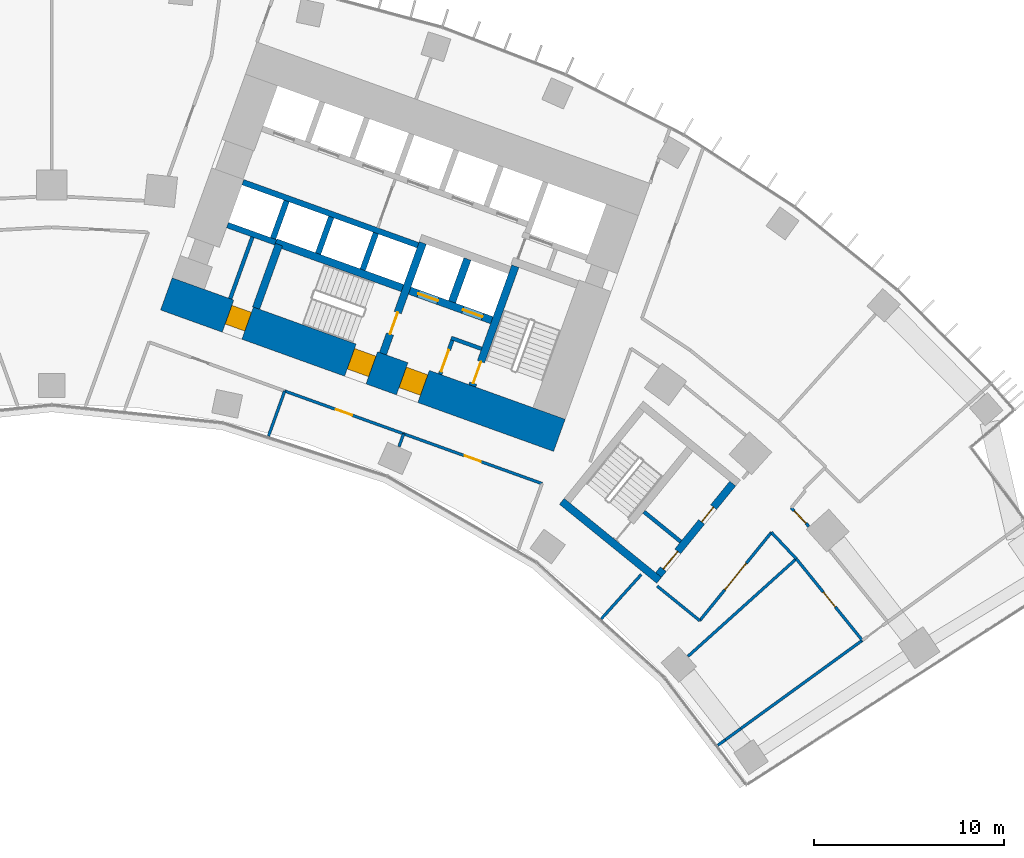
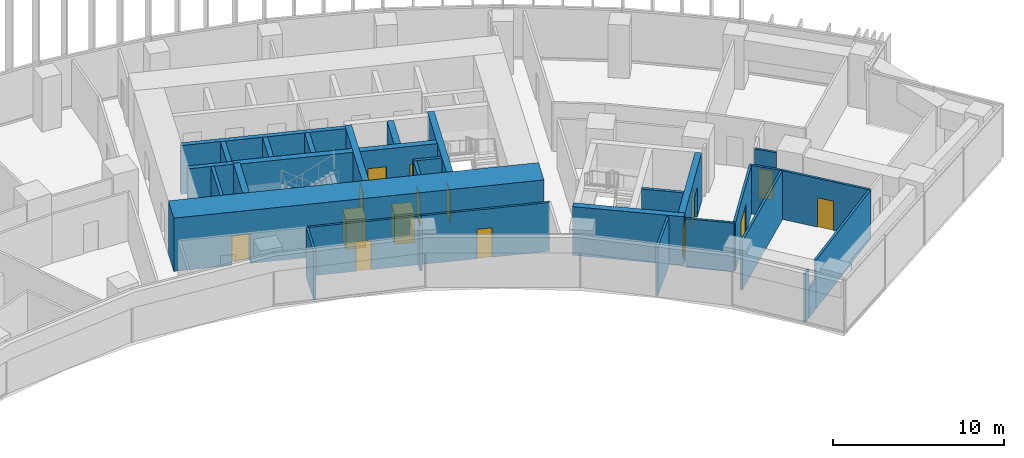
# One storey, part 21 of 25: 31 walls, 15 doors, 15 openings.
"""IFC4 building model written with IfcOpenShell, lengths in metres."""

from ifc_helpers import new_model, si_unit, direction, frame, frame_2d, origin, place, context, subcontext, project, spatial, rectangle, extrude, material, layer, layer_set, type_object, element, fill, save


model = new_model("IFC4")

# Units and contexts
model_context = context("Model", 3, precision=1e-05, world=origin(), true_north=direction((0.0, 1.0)))
body_context = subcontext(model_context, "Body", "Model", "MODEL_VIEW")
ifc_project = project(units=[si_unit("LENGTHUNIT", "METRE"), si_unit("AREAUNIT", "SQUARE_METRE"), si_unit("VOLUMEUNIT", "CUBIC_METRE"), si_unit("PLANEANGLEUNIT", "RADIAN"), si_unit("MASSUNIT", "GRAM", prefix="KILO")], contexts=[model_context])

# Site, building, storey
site_placement = place(None, origin())
site = spatial("IfcSite", under=ifc_project, at=site_placement, CompositionType="ELEMENT")
building_placement = place(site_placement, origin())
building = spatial("IfcBuilding", under=site, at=building_placement, Name="Stone Belt Terrace Tower", CompositionType="ELEMENT")
storey_placement = place(building_placement, frame((0.0, 0.0, 52.800048828125)))
storey = spatial("IfcBuildingStorey", under=building, at=storey_placement, Name="L12", CompositionType="ELEMENT", Elevation=52.800048828125)

# Wall, openings, doors
ifc_material_1 = material(Name="Concrete B80", Category="concrete")
ifc_layer_1 = layer(ifc_material_1, 1.800048828125)
ifc_layer_set_1 = layer_set([ifc_layer_1], Name="Core wall 1800 B80")
wall_type_1 = type_object("IfcWallType", Name="Core wall 1800 B80", PredefinedType="SHEAR", material=ifc_layer_set_1)
wall_1_placement = place(storey_placement, frame((6.039306640625, 49.265380859375, 0.0), z_axis=(0.0, 0.0, 1.0), x_axis=(0.940921642213, -0.338624368902, 0.0)))
wall_1 = element("IfcWall", 1, at=wall_1_placement, inside=storey, type_object=wall_type_1, Name="Core B wall concave L12", PredefinedType="SHEAR", context=body_context, shape_type="SweptSolid", body=[
    extrude(rectangle(XDim=22.0, YDim=1.800048828125, at=frame_2d((11.0, 0.0))), origin(), (0.0, 0.0, 1.0), 3.800048828125),
])
opening_1_placement = place(wall_1_placement, frame((13.199951171875, 0.0, 0.0)))
opening_1 = element("IfcOpeningElement", 2, at=opening_1_placement, cuts=wall_1, Name="Opening L12-C18", PredefinedType="OPENING", context=body_context, shape_type="SweptSolid", body=[
    extrude(rectangle(XDim=1.199951171875, YDim=2.10009765625, at=frame_2d((0.60009765625, 1.050048828125))), frame((0.0, 0.909912109375, 0.0), z_axis=(0.0, -1.0, 0.0), x_axis=(1.0, 0.0, 0.0)), (0.0, 0.0, 1.0), 1.820068359375),
])
opening_2_placement = place(wall_1_placement, frame((10.300048828125, 0.0, 0.0)))
opening_2 = element("IfcOpeningElement", 3, at=opening_2_placement, cuts=wall_1, Name="Opening L12-C20", PredefinedType="OPENING", context=body_context, shape_type="SweptSolid", body=[
    extrude(rectangle(XDim=1.199951171875, YDim=2.10009765625, at=frame_2d((0.60009765625, 1.050048828125))), frame((0.0, 0.909912109375, 0.0), z_axis=(0.0, -1.0, 0.0), x_axis=(1.0, 0.0, 0.0)), (0.0, 0.0, 1.0), 1.820068359375),
])
opening_3_placement = place(wall_1_placement, frame((3.449951171875, 0.0, 0.0)))
opening_3 = element("IfcOpeningElement", 4, at=opening_3_placement, cuts=wall_1, Name="Opening L12-C22", PredefinedType="OPENING", context=body_context, shape_type="SweptSolid", body=[
    extrude(rectangle(XDim=1.10009765625, YDim=2.10009765625, at=frame_2d((0.550048828125, 1.050048828125))), frame((0.0, 0.909912109375, 0.0), z_axis=(0.0, -1.0, 0.0), x_axis=(1.0, 0.0, 0.0)), (0.0, 0.0, 1.0), 1.820068359375),
])
ifc_material_2 = material(Name="Timber door leaf", Category="wood")
door_type_1 = type_object("IfcDoorType", Name="Core room door 1100", OperationType="SINGLE_SWING_LEFT", PredefinedType="DOOR", material=ifc_material_2)
door_1_placement = place(opening_3_placement, origin())
door_1 = element("IfcDoor", 5, at=door_1_placement, inside=storey, type_object=door_type_1, Name="Door to Communications riser room core B", OperationType="SINGLE_SWING_LEFT", OverallHeight=2.10009765625, OverallWidth=1.10009765625, PredefinedType="DOOR", context=body_context, shape_type="SweptSolid", body=[
    extrude(rectangle(XDim=1.10009765625, YDim=2.10009765625, at=frame_2d((0.550048828125, 1.050048828125))), frame((0.0, 0.60498046875, 0.0), z_axis=(0.0, -1.0, 0.0), x_axis=(1.0, 0.0, 0.0)), (0.0, 0.0, 1.0), 1.050048828125),
])
fill(opening_3, door_1)
ifc_material_3 = material(Name="Steel door leaf", Category="steel")
door_type_2 = type_object("IfcDoorType", Name="Fire-fighting lobby door 1200", OperationType="SINGLE_SWING_LEFT", PredefinedType="DOOR", material=ifc_material_3)
door_2_placement = place(opening_1_placement, origin())
door_2 = element("IfcDoor", 6, at=door_2_placement, inside=storey, type_object=door_type_2, Name="Fire-fighting lobby door core B", OperationType="SINGLE_SWING_LEFT", OverallHeight=2.10009765625, OverallWidth=1.199951171875, PredefinedType="DOOR", context=body_context, shape_type="SweptSolid", body=[
    extrude(rectangle(XDim=1.199951171875, YDim=2.10009765625, at=frame_2d((0.60009765625, 1.050048828125))), frame((0.0, 0.655029296875, 0.0), z_axis=(0.0, -1.0, 0.0), x_axis=(1.0, 0.0, 0.0)), (0.0, 0.0, 1.0), 1.14990234375),
])
fill(opening_1, door_2)
door_type_3 = type_object("IfcDoorType", Name="Stair door 1200", OperationType="SINGLE_SWING_LEFT", PredefinedType="DOOR", material=ifc_material_3)
door_3_placement = place(opening_2_placement, origin())
door_3 = element("IfcDoor", 7, at=door_3_placement, inside=storey, type_object=door_type_3, Name="Stair 2 exit door core B", OperationType="SINGLE_SWING_RIGHT", OverallHeight=2.10009765625, OverallWidth=1.199951171875, PredefinedType="DOOR", context=body_context, shape_type="SweptSolid", body=[
    extrude(rectangle(XDim=1.199951171875, YDim=2.10009765625, at=frame_2d((0.60009765625, 1.050048828125))), frame((0.0, 0.655029296875, 0.0), z_axis=(0.0, -1.0, 0.0), x_axis=(1.0, 0.0, 0.0)), (0.0, 0.0, 1.0), 1.14990234375),
])
fill(opening_2, door_3)

# Walls
ifc_layer_2 = layer(ifc_material_1, 0.39990234375)
ifc_layer_set_2 = layer_set([ifc_layer_2], Name="Fire-fighting lift shaft wall 400")
wall_type_2 = type_object("IfcWallType", Name="Fire-fighting lift shaft wall 400", PredefinedType="SHEAR", material=ifc_layer_set_2)
wall_2_placement = place(storey_placement, frame((21.0859375, 48.845458984375, 0.0), z_axis=(0.0, 0.0, 1.0), x_axis=(0.338629416206, 0.940919825745, 0.0)))
element("IfcWall", 8, at=wall_2_placement, inside=storey, type_object=wall_type_2, Name="Core B wall", PredefinedType="SHEAR", context=body_context, shape_type="SweptSolid", body=[
    extrude(rectangle(XDim=2.400146484375, YDim=0.39990234375, at=frame_2d((1.2001953125, 0.0))), origin(), (0.0, 0.0, 1.0), 3.47998046875),
])
ifc_layer_3 = layer(ifc_material_1, 0.300048828125)
ifc_layer_set_3 = layer_set([ifc_layer_3], Name="Lift shaft wall 300")
wall_type_3 = type_object("IfcWallType", Name="Lift shaft wall 300", PredefinedType="SHEAR", material=ifc_layer_set_3)
wall_3_placement = place(storey_placement, frame((19.29052734375, 51.829833984375, 0.0), z_axis=(0.0, 0.0, 1.0), x_axis=(-0.940925833398, 0.338612722803, 0.0)))
element("IfcWall", 9, at=wall_3_placement, inside=storey, type_object=wall_type_3, Name="Core B wall", PredefinedType="SHEAR", context=body_context, shape_type="SweptSolid", body=[
    extrude(rectangle(XDim=9.7998046875, YDim=0.300048828125, at=frame_2d((4.89990234375, 0.0))), origin(), (0.0, 0.0, 1.0), 3.47998046875),
])
for number, where, z_axis, x_axis, name in (
    (10, (16.38134765625, 50.53857421875, 0.0), (0.0, 0.0, 1.0), (0.338681515556, 0.940901073982, 0.0), "Core B wall"),
    (11, (14.029052734375, 51.38525390625, 0.0), (0.0, 0.0, 1.0), (0.338681515556, 0.940901073982, 0.0), "Core B wall"),
):
    element("IfcWall", number, at=place(storey_placement, frame(where, z_axis=z_axis, x_axis=x_axis)), inside=storey, type_object=wall_type_3, Name=name, PredefinedType="SHEAR", context=body_context, shape_type="SweptSolid", body=[
        extrude(rectangle(XDim=2.050048828125, YDim=0.300048828125, at=frame_2d((1.02490234375, 0.0))), origin(), (0.0, 0.0, 1.0), 3.47998046875),
    ])
wall_4_placement = place(storey_placement, frame((11.797119140625, 51.975830078125, 0.0), z_axis=(0.0, 0.0, 1.0), x_axis=(-0.940910465161, 0.33865542451, 0.0)))
element("IfcWall", 12, at=wall_4_placement, inside=storey, type_object=wall_type_3, Name="Core B wall", PredefinedType="SHEAR", context=body_context, shape_type="SweptSolid", body=[
    extrude(rectangle(XDim=2.69970703125, YDim=0.300048828125, at=frame_2d((1.349853515625, 0.0))), origin(), (0.0, 0.0, 1.0), 3.47998046875),
])
wall_5_placement = place(storey_placement, frame((11.659912109375, 52.184814453125, 0.0), z_axis=(0.0, 0.0, 1.0), x_axis=(0.338670064856, 0.940905195634, 0.0)))
element("IfcWall", 13, at=wall_5_placement, inside=storey, type_object=wall_type_3, Name="Core B wall", PredefinedType="SHEAR", context=body_context, shape_type="SweptSolid", body=[
    extrude(rectangle(XDim=2.099853515625, YDim=0.300048828125, at=frame_2d((1.0498046875, 0.0))), origin(), (0.0, 0.0, 1.0), 3.47998046875),
])
ifc_material_4 = material(Name="Gypsum board partition")
ifc_layer_4 = layer(ifc_material_4, 0.14990234375)
ifc_layer_set_4 = layer_set([ifc_layer_4], Name="PARTITION 150 EI 60")
wall_type_4 = type_object("IfcWallType", Name="PARTITION 150 EI 60", PredefinedType="PARTITIONING", material=ifc_layer_set_4)
wall_6_placement = place(storey_placement, frame((31.054931640625, 34.489990234375, 0.0), z_axis=(0.0, 0.0, 1.0), x_axis=(-0.669118910745, -0.743155356089, 0.0)))
element("IfcWall", 14, at=wall_6_placement, inside=storey, type_object=wall_type_4, Name="L12/wall/i026", PredefinedType="PARTITIONING", context=body_context, shape_type="SweptSolid", body=[
    extrude(rectangle(XDim=3.149169921875, YDim=0.14990234375, at=frame_2d((1.57470703125, 0.0))), origin(), (0.0, 0.0, 1.0), 3.47998046875),
])

# Wall, opening, door
wall_7_placement = place(storey_placement, frame((18.54296875, 41.89599609375, 0.0), z_axis=(0.0, 0.0, 1.0), x_axis=(-0.940947591738, 0.338552255349, 0.0)))
wall_7 = element("IfcWall", 15, at=wall_7_placement, inside=storey, type_object=wall_type_4, Name="L12/wall/i029", PredefinedType="PARTITIONING", context=body_context, shape_type="SweptSolid", body=[
    extrude(rectangle(XDim=6.669677734375, YDim=0.14990234375, at=frame_2d((3.3349609375, 0.0))), origin(), (0.0, 0.0, 1.0), 3.47998046875),
])
opening_4_placement = place(wall_7_placement, frame((2.885009765625, 0.0, 0.0)))
opening_4 = element("IfcOpeningElement", 16, at=opening_4_placement, cuts=wall_7, Name="Opening D-A3b-07", PredefinedType="OPENING", context=body_context, shape_type="SweptSolid", body=[
    extrude(rectangle(XDim=0.89990234375, YDim=2.10009765625, at=frame_2d((0.449951171875, 1.050048828125))), frame((0.0, 0.0849609375, 0.0), z_axis=(0.0, -1.0, 0.0), x_axis=(1.0, 0.0, 0.0)), (0.0, 0.0, 1.0), 0.169921875),
])
door_type_4 = type_object("IfcDoorType", Name="OFFICE DOOR 900 X 2100", OperationType="NOTDEFINED", PredefinedType="DOOR", material=ifc_material_2)
door_4_placement = place(opening_4_placement, origin())
door_4 = element("IfcDoor", 17, at=door_4_placement, inside=storey, type_object=door_type_4, Name="L12/door/i07", OperationType="SINGLE_SWING_RIGHT", OverallHeight=2.10009765625, OverallWidth=0.89990234375, PredefinedType="DOOR", context=body_context, shape_type="SweptSolid", body=[
    extrude(rectangle(XDim=0.89990234375, YDim=2.10009765625, at=frame_2d((0.449951171875, 1.050048828125))), frame((0.0, 0.02490234375, 0.0), z_axis=(0.0, -1.0, 0.0), x_axis=(1.0, 0.0, 0.0)), (0.0, 0.0, 1.0), 0.050048828125),
])
fill(opening_4, door_4)

wall_8_placement = place(storey_placement, frame((25.824951171875, 39.27490234375, 0.0), z_axis=(0.0, 0.0, 1.0), x_axis=(-0.940921131887, 0.338625786921, 0.0)))
wall_8 = element("IfcWall", 18, at=wall_8_placement, inside=storey, type_object=wall_type_4, Name="L12/wall/i030", PredefinedType="PARTITIONING", context=body_context, shape_type="SweptSolid", body=[
    extrude(rectangle(XDim=7.751953125, YDim=0.14990234375, at=frame_2d((3.8759765625, 0.0))), origin(), (0.0, 0.0, 1.0), 3.47998046875),
])
opening_5_placement = place(wall_8_placement, frame((3.426025390625, 0.0, 0.0)))
opening_5 = element("IfcOpeningElement", 19, at=opening_5_placement, cuts=wall_8, Name="Opening D-A3b-08", PredefinedType="OPENING", context=body_context, shape_type="SweptSolid", body=[
    extrude(rectangle(XDim=0.89990234375, YDim=2.10009765625, at=frame_2d((0.449951171875, 1.050048828125))), frame((0.0, 0.0849609375, 0.0), z_axis=(0.0, -1.0, 0.0), x_axis=(1.0, 0.0, 0.0)), (0.0, 0.0, 1.0), 0.169921875),
])
door_5_placement = place(opening_5_placement, origin())
door_5 = element("IfcDoor", 20, at=door_5_placement, inside=storey, type_object=door_type_4, Name="L12/door/i08", OperationType="SINGLE_SWING_RIGHT", OverallHeight=2.10009765625, OverallWidth=0.89990234375, PredefinedType="DOOR", context=body_context, shape_type="SweptSolid", body=[
    extrude(rectangle(XDim=0.89990234375, YDim=2.10009765625, at=frame_2d((0.449951171875, 1.050048828125))), frame((0.0, 0.02490234375, 0.0), z_axis=(0.0, -1.0, 0.0), x_axis=(1.0, 0.0, 0.0)), (0.0, 0.0, 1.0), 0.050048828125),
])
fill(opening_5, door_5)

# Walls
wall_9_placement = place(storey_placement, frame((12.27294921875, 44.152099609375, 0.0), z_axis=(0.0, 0.0, 1.0), x_axis=(-0.338462482754, -0.940979887016, 0.0)))
element("IfcWall", 21, at=wall_9_placement, inside=storey, type_object=wall_type_4, Name="L12/wall/i031", PredefinedType="PARTITIONING", context=body_context, shape_type="SweptSolid", body=[
    extrude(rectangle(XDim=2.523193359375, YDim=0.14990234375, at=frame_2d((1.26171875, 0.0))), origin(), (0.0, 0.0, 1.0), 3.47998046875),
])
wall_10_placement = place(storey_placement, frame((18.537109375, 41.89794921875, 0.0), z_axis=(0.0, 0.0, 1.0), x_axis=(-0.339008718723, -0.940783231478, 0.0)))
element("IfcWall", 22, at=wall_10_placement, inside=storey, type_object=wall_type_4, Name="L12/wall/i032", PredefinedType="PARTITIONING", context=body_context, shape_type="SweptSolid", body=[
    extrude(rectangle(XDim=0.71728515625, YDim=0.14990234375, at=frame_2d((0.358642578125, 0.0))), origin(), (0.0, 0.0, 1.0), 3.47998046875),
])
wall_11_placement = place(storey_placement, frame((35.08642578125, 25.491455078125, 0.0), z_axis=(0.0, 0.0, 1.0), x_axis=(0.808950378871, 0.587876929743, 0.0)))
element("IfcWall", 23, at=wall_11_placement, inside=storey, type_object=wall_type_4, Name="L12/wall/i062-1", PredefinedType="PARTITIONING", context=body_context, shape_type="SweptSolid", body=[
    extrude(rectangle(XDim=0.492431640625, YDim=0.14990234375, at=frame_2d((0.24609375, 0.0))), origin(), (0.0, 0.0, 1.0), 3.47998046875),
])
wall_12_placement = place(storey_placement, frame((35.48486328125, 25.781005859375, 0.0), z_axis=(0.0, 0.0, 1.0), x_axis=(0.809166170738, 0.587579873832, 0.0)))
element("IfcWall", 24, at=wall_12_placement, inside=storey, type_object=wall_type_4, Name="L12/wall/i062-2", PredefinedType="PARTITIONING", context=body_context, shape_type="SweptSolid", body=[
    extrude(rectangle(XDim=1.005859375, YDim=0.14990234375, at=frame_2d((0.5029296875, 0.0))), origin(), (0.0, 0.0, 1.0), 2.079833984375),
])
wall_13_placement = place(storey_placement, frame((36.298828125, 26.3720703125, 0.0), z_axis=(0.0, 0.0, 1.0), x_axis=(0.809048165504, 0.587742346522, 0.0)))
element("IfcWall", 25, at=wall_13_placement, inside=storey, type_object=wall_type_4, Name="L12/wall/i062-3", PredefinedType="PARTITIONING", context=body_context, shape_type="SweptSolid", body=[
    extrude(rectangle(XDim=7.9130859375, YDim=0.14990234375, at=frame_2d((3.95654296875, 0.0))), origin(), (0.0, 0.0, 1.0), 3.47998046875),
])
wall_14_placement = place(storey_placement, frame((39.218994140625, 35.31298828125, 0.0), z_axis=(0.0, 0.0, 1.0), x_axis=(-0.685150397177, 0.728401629082, 0.0)))
element("IfcWall", 26, at=wall_14_placement, inside=storey, type_object=wall_type_4, Name="L12/wall/i070", PredefinedType="PARTITIONING", context=body_context, shape_type="SweptSolid", body=[
    extrude(rectangle(XDim=1.919189453125, YDim=0.14990234375, at=frame_2d((0.95947265625, 0.0))), origin(), (0.0, 0.0, 1.0), 3.47998046875),
])

# Wall, opening, door
wall_15_placement = place(storey_placement, frame((42.696044921875, 31.02001953125, 0.0), z_axis=(0.0, 0.0, 1.0), x_axis=(-0.629393988906, 0.777086357318, 0.0)))
wall_15 = element("IfcWall", 27, at=wall_15_placement, inside=storey, type_object=wall_type_4, Name="L12/wall/i071", PredefinedType="PARTITIONING", context=body_context, shape_type="SweptSolid", body=[
    extrude(rectangle(XDim=5.5244140625, YDim=0.14990234375, at=frame_2d((2.76220703125, 0.0))), origin(), (0.0, 0.0, 1.0), 3.47998046875),
])
opening_6_placement = place(wall_15_placement, frame((2.26220703125, 0.0, 0.0)))
opening_6 = element("IfcOpeningElement", 28, at=opening_6_placement, cuts=wall_15, Name="Opening D-A3b-23", PredefinedType="OPENING", context=body_context, shape_type="SweptSolid", body=[
    extrude(rectangle(XDim=1.0, YDim=2.10009765625, at=frame_2d((0.5, 1.050048828125))), frame((0.0, 0.0849609375, 0.0), z_axis=(0.0, -1.0, 0.0), x_axis=(1.0, 0.0, 0.0)), (0.0, 0.0, 1.0), 0.169921875),
])
ifc_material_5 = material(Name="Timber fire door leaf", Category="wood")
door_type_5 = type_object("IfcDoorType", Name="TENANCY ENTRANCE DOOR 1000 X 2100", OperationType="NOTDEFINED", PredefinedType="DOOR", material=ifc_material_5)
door_6_placement = place(opening_6_placement, origin())
door_6 = element("IfcDoor", 29, at=door_6_placement, inside=storey, type_object=door_type_5, Name="L12/door/i23", OperationType="SINGLE_SWING_RIGHT", OverallHeight=2.10009765625, OverallWidth=1.0, PredefinedType="DOOR", context=body_context, shape_type="SweptSolid", body=[
    extrude(rectangle(XDim=1.0, YDim=2.10009765625, at=frame_2d((0.5, 1.050048828125))), frame((0.0, 0.02490234375, 0.0), z_axis=(0.0, -1.0, 0.0), x_axis=(1.0, 0.0, 0.0)), (0.0, 0.0, 1.0), 0.050048828125),
])
fill(opening_6, door_6)

wall_16_placement = place(storey_placement, frame((38.951904296875, 38.00390625, 0.0), z_axis=(0.0, 0.0, 1.0), x_axis=(0.685517138115, -0.728056490494, 0.0)))
wall_16 = element("IfcWall", 30, at=wall_16_placement, inside=storey, type_object=wall_type_4, Name="L12/wall/i072", PredefinedType="PARTITIONING", context=body_context, shape_type="SweptSolid", body=[
    extrude(rectangle(XDim=1.3486328125, YDim=0.14990234375, at=frame_2d((0.67431640625, 0.0))), origin(), (0.0, 0.0, 1.0), 3.47998046875),
])
opening_7_placement = place(wall_16_placement, frame((0.224365234375, 0.0, 0.0)))
opening_7 = element("IfcOpeningElement", 31, at=opening_7_placement, cuts=wall_16, Name="Opening D-A3b-26", PredefinedType="OPENING", context=body_context, shape_type="SweptSolid", body=[
    extrude(rectangle(XDim=0.89990234375, YDim=2.10009765625, at=frame_2d((0.449951171875, 1.050048828125))), frame((0.0, 0.0849609375, 0.0), z_axis=(0.0, -1.0, 0.0), x_axis=(1.0, 0.0, 0.0)), (0.0, 0.0, 1.0), 0.169921875),
])
door_type_6 = type_object("IfcDoorType", Name="TENANCY ENTRANCE DOOR 900 X 2100", OperationType="NOTDEFINED", PredefinedType="DOOR", material=ifc_material_5)
door_7_placement = place(opening_7_placement, origin())
door_7 = element("IfcDoor", 32, at=door_7_placement, inside=storey, type_object=door_type_6, Name="L12/door/i26", OperationType="SINGLE_SWING_RIGHT", OverallHeight=2.10009765625, OverallWidth=0.89990234375, PredefinedType="DOOR", context=body_context, shape_type="SweptSolid", body=[
    extrude(rectangle(XDim=0.89990234375, YDim=2.10009765625, at=frame_2d((0.449951171875, 1.050048828125))), frame((0.0, 0.02490234375, 0.0), z_axis=(0.0, -1.0, 0.0), x_axis=(1.0, 0.0, 0.0)), (0.0, 0.0, 1.0), 0.050048828125),
])
fill(opening_7, door_7)

wall_17_placement = place(storey_placement, frame((34.133056640625, 32.055908203125, 0.0), z_axis=(0.0, 0.0, 1.0), x_axis=(0.630176722579, 0.776451735988, 0.0)))
wall_17 = element("IfcWall", 33, at=wall_17_placement, inside=storey, type_object=wall_type_4, Name="L12/wall/i075", PredefinedType="PARTITIONING", context=body_context, shape_type="SweptSolid", body=[
    extrude(rectangle(XDim=5.990234375, YDim=0.14990234375, at=frame_2d((2.9951171875, 0.0))), origin(), (0.0, 0.0, 1.0), 3.47998046875),
])
opening_8_placement = place(wall_17_placement, frame((2.09521484375, 0.0, 0.0)))
opening_8 = element("IfcOpeningElement", 34, at=opening_8_placement, cuts=wall_17, Name="Opening D-A3b-22", PredefinedType="OPENING", context=body_context, shape_type="SweptSolid", body=[
    extrude(rectangle(XDim=1.800048828125, YDim=2.10009765625, at=frame_2d((0.89990234375, 1.050048828125))), frame((0.0, 0.0849609375, 0.0), z_axis=(0.0, -1.0, 0.0), x_axis=(1.0, 0.0, 0.0)), (0.0, 0.0, 1.0), 0.169921875),
])
door_type_7 = type_object("IfcDoorType", Name="DOUBLE DOOR 1800 X 2100", OperationType="DOUBLE_DOOR_SINGLE_SWING", PredefinedType="DOOR", material=ifc_material_2)
door_8_placement = place(opening_8_placement, origin())
door_8 = element("IfcDoor", 35, at=door_8_placement, inside=storey, type_object=door_type_7, Name="L12/door/i22", OperationType="DOUBLE_DOOR_SINGLE_SWING", OverallHeight=2.10009765625, OverallWidth=1.800048828125, PredefinedType="DOOR", context=body_context, shape_type="SweptSolid", body=[
    extrude(rectangle(XDim=1.800048828125, YDim=2.10009765625, at=frame_2d((0.89990234375, 1.050048828125))), frame((0.0, 0.02490234375, 0.0), z_axis=(0.0, -1.0, 0.0), x_axis=(1.0, 0.0, 0.0)), (0.0, 0.0, 1.0), 0.050048828125),
])
fill(opening_8, door_8)

# Walls
wall_18_placement = place(storey_placement, frame((34.133056640625, 32.055908203125, 0.0), z_axis=(0.0, 0.0, 1.0), x_axis=(-0.776369956068, 0.630277471686, 0.0)))
element("IfcWall", 36, at=wall_18_placement, inside=storey, type_object=wall_type_4, Name="L12/wall/i076", PredefinedType="PARTITIONING", context=body_context, shape_type="SweptSolid", body=[
    extrude(rectangle(XDim=2.8876953125, YDim=0.14990234375, at=frame_2d((1.44384765625, 0.0))), origin(), (0.0, 0.0, 1.0), 3.47998046875),
])
wall_19_placement = place(storey_placement, frame((39.218994140625, 35.31298828125, 0.0), z_axis=(0.0, 0.0, 1.0), x_axis=(-0.743135942629, -0.669140471629, 0.0)))
element("IfcWall", 37, at=wall_19_placement, inside=storey, type_object=wall_type_4, Name="L12/wall/i078", PredefinedType="PARTITIONING", context=body_context, shape_type="SweptSolid", body=[
    extrude(rectangle(XDim=7.67431640625, YDim=0.14990234375, at=frame_2d((3.837158203125, 0.0))), origin(), (0.0, 0.0, 1.0), 3.47998046875),
])
ifc_material_6 = material(Name="Concrete masonry block", Category="masonry")
ifc_layer_5 = layer(ifc_material_6, 0.199951171875)
ifc_layer_set_5 = layer_set([ifc_layer_5], Name="Rated lobby wall 200")
wall_type_5 = type_object("IfcWallType", Name="Rated lobby wall 200", PredefinedType="PARTITIONING", material=ifc_layer_set_5)
wall_20_placement = place(storey_placement, frame((22.640625, 46.373046875, 0.0), z_axis=(0.0, 0.0, 1.0), x_axis=(-0.940966110313, 0.338500781747, 0.0)))
element("IfcWall", 38, at=wall_20_placement, inside=storey, type_object=wall_type_5, Name="Core B wall", PredefinedType="PARTITIONING", context=body_context, shape_type="SweptSolid", body=[
    extrude(rectangle(XDim=1.699951171875, YDim=0.199951171875, at=frame_2d((0.85009765625, 0.0))), origin(), (0.0, 0.0, 1.0), 3.47998046875),
])

# Wall, opening, door
wall_21_placement = place(storey_placement, frame((20.4580078125, 45.032958984375, 0.0), z_axis=(0.0, 0.0, 1.0), x_axis=(0.338573865316, 0.940939816208, 0.0)))
wall_21 = element("IfcWall", 39, at=wall_21_placement, inside=storey, type_object=wall_type_5, Name="Core B wall", PredefinedType="PARTITIONING", context=body_context, shape_type="SweptSolid", body=[
    extrude(rectangle(XDim=1.900146484375, YDim=0.199951171875, at=frame_2d((0.9501953125, 0.0))), origin(), (0.0, 0.0, 1.0), 3.47998046875),
])
opening_9_placement = place(wall_21_placement, frame((0.14990234375, 0.0, 0.0)))
opening_9 = element("IfcOpeningElement", 40, at=opening_9_placement, cuts=wall_21, Name="Opening L12-C17", PredefinedType="OPENING", context=body_context, shape_type="SweptSolid", body=[
    extrude(rectangle(XDim=1.199951171875, YDim=2.10009765625, at=frame_2d((0.60009765625, 1.050048828125))), frame((0.0, 0.10986328125, 0.0), z_axis=(0.0, -1.0, 0.0), x_axis=(1.0, 0.0, 0.0)), (0.0, 0.0, 1.0), 0.219970703125),
])
door_9_placement = place(opening_9_placement, origin())
door_9 = element("IfcDoor", 41, at=door_9_placement, inside=storey, type_object=door_type_3, Name="Stair airlock door core B", OperationType="SINGLE_SWING_LEFT", OverallHeight=2.10009765625, OverallWidth=1.199951171875, PredefinedType="DOOR", context=body_context, shape_type="SweptSolid", body=[
    extrude(rectangle(XDim=1.199951171875, YDim=2.10009765625, at=frame_2d((0.60009765625, 1.050048828125))), frame((0.0, 0.02490234375, 0.0), z_axis=(0.0, -1.0, 0.0), x_axis=(1.0, 0.0, 0.0)), (0.0, 0.0, 1.0), 0.050048828125),
])
fill(opening_9, door_9)

# Walls
wall_22_placement = place(storey_placement, frame((9.402099609375, 49.01171875, 0.0), z_axis=(0.0, 0.0, 1.0), x_axis=(0.338599189079, 0.940930703695, 0.0)))
element("IfcWall", 42, at=wall_22_placement, inside=storey, type_object=wall_type_5, Name="Core B wall", PredefinedType="PARTITIONING", context=body_context, shape_type="SweptSolid", body=[
    extrude(rectangle(XDim=3.4501953125, YDim=0.199951171875, at=frame_2d((1.72509765625, 0.0))), origin(), (0.0, 0.0, 1.0), 3.47998046875),
])
wall_23_placement = place(storey_placement, frame((31.190673828125, 37.79296875, 0.0), z_axis=(0.0, 0.0, 1.0), x_axis=(0.776370830301, -0.630276394813, 0.0)))
element("IfcWall", 43, at=wall_23_placement, inside=storey, type_object=wall_type_5, Name="Exit stair ST3B wall", PredefinedType="PARTITIONING", context=body_context, shape_type="SweptSolid", body=[
    extrude(rectangle(XDim=2.5, YDim=0.199951171875, at=frame_2d((1.25, 0.0))), origin(), (0.0, 0.0, 1.0), 3.47998046875),
])

# Wall, opening, door
ifc_layer_6 = layer(ifc_material_1, 0.39990234375)
ifc_layer_set_6 = layer_set([ifc_layer_6], Name="Stair enclosure wall 400")
wall_type_6 = type_object("IfcWallType", Name="Stair enclosure wall 400", PredefinedType="SHEAR", material=ifc_layer_set_6)
wall_24_placement = place(storey_placement, frame((22.151611328125, 44.42333984375, 0.0), z_axis=(0.0, 0.0, 1.0), x_axis=(0.338625272931, 0.940921316866, 0.0)))
wall_24 = element("IfcWall", 44, at=wall_24_placement, inside=storey, type_object=wall_type_6, Name="Core B wall", PredefinedType="SHEAR", context=body_context, shape_type="SweptSolid", body=[
    extrude(rectangle(XDim=6.699951171875, YDim=0.39990234375, at=frame_2d((3.35009765625, 0.0))), origin(), (0.0, 0.0, 1.0), 3.47998046875),
])
opening_10_placement = place(wall_24_placement, frame((0.14990234375, 0.0, 0.0)))
opening_10 = element("IfcOpeningElement", 45, at=opening_10_placement, cuts=wall_24, Name="Opening L12-C16", PredefinedType="OPENING", context=body_context, shape_type="SweptSolid", body=[
    extrude(rectangle(XDim=1.199951171875, YDim=2.10009765625, at=frame_2d((0.60009765625, 1.050048828125))), frame((0.0, 0.2099609375, 0.0), z_axis=(0.0, -1.0, 0.0), x_axis=(1.0, 0.0, 0.0)), (0.0, 0.0, 1.0), 0.419921875),
])
door_10_placement = place(opening_10_placement, origin())
door_10 = element("IfcDoor", 46, at=door_10_placement, inside=storey, type_object=door_type_3, Name="Stair 1 door core B", OperationType="SINGLE_SWING_LEFT", OverallHeight=2.10009765625, OverallWidth=1.199951171875, PredefinedType="DOOR", context=body_context, shape_type="SweptSolid", body=[
    extrude(rectangle(XDim=1.199951171875, YDim=2.10009765625, at=frame_2d((0.60009765625, 1.050048828125))), frame((0.0, 0.02490234375, 0.0), z_axis=(0.0, -1.0, 0.0), x_axis=(1.0, 0.0, 0.0)), (0.0, 0.0, 1.0), 0.050048828125),
])
fill(opening_10, door_10)

# Wall, openings, doors
wall_25_placement = place(storey_placement, frame((23.182373046875, 47.87841796875, 0.0), z_axis=(0.0, 0.0, 1.0), x_axis=(-0.940921101762, 0.338625870628, 0.0)))
wall_25 = element("IfcWall", 47, at=wall_25_placement, inside=storey, type_object=wall_type_6, Name="Core B wall", PredefinedType="SHEAR", context=body_context, shape_type="SweptSolid", body=[
    extrude(rectangle(XDim=12.10009765625, YDim=0.39990234375, at=frame_2d((6.050048828125, 0.0))), origin(), (0.0, 0.0, 1.0), 3.47998046875),
])
opening_11_placement = place(wall_25_placement, frame((0.52001953125, 0.0, 0.0)))
opening_11 = element("IfcOpeningElement", 48, at=opening_11_placement, cuts=wall_25, Name="Opening L12-LD16", PredefinedType="OPENING", context=body_context, shape_type="SweptSolid", body=[
    extrude(rectangle(XDim=1.10009765625, YDim=2.199951171875, at=frame_2d((0.550048828125, 1.10009765625))), frame((0.0, 0.2099609375, 0.0), z_axis=(0.0, -1.0, 0.0), x_axis=(1.0, 0.0, 0.0)), (0.0, 0.0, 1.0), 0.419921875),
])
opening_12_placement = place(wall_25_placement, frame((3.02001953125, 0.0, 0.0)))
opening_12 = element("IfcOpeningElement", 49, at=opening_12_placement, cuts=wall_25, Name="Opening L12-LD17", PredefinedType="OPENING", context=body_context, shape_type="SweptSolid", body=[
    extrude(rectangle(XDim=1.10009765625, YDim=2.199951171875, at=frame_2d((0.550048828125, 1.10009765625))), frame((0.0, 0.2099609375, 0.0), z_axis=(0.0, -1.0, 0.0), x_axis=(1.0, 0.0, 0.0)), (0.0, 0.0, 1.0), 0.419921875),
])
ifc_material_7 = material(Name="Stainless steel door leaf", Category="steel")
door_type_8 = type_object("IfcDoorType", Name="Landing door 1100", OperationType="SLIDING_TO_LEFT", PredefinedType="DOOR", material=ifc_material_7)
door_11_placement = place(opening_11_placement, origin())
door_11 = element("IfcDoor", 50, at=door_11_placement, inside=storey, type_object=door_type_8, Name="Landing door FF1 core B", OperationType="SLIDING_TO_LEFT", OverallHeight=2.199951171875, OverallWidth=1.10009765625, PredefinedType="DOOR", context=body_context, shape_type="SweptSolid", body=[
    extrude(rectangle(XDim=1.10009765625, YDim=2.199951171875, at=frame_2d((0.550048828125, 1.10009765625))), frame((0.0, 0.02490234375, 0.0), z_axis=(0.0, -1.0, 0.0), x_axis=(1.0, 0.0, 0.0)), (0.0, 0.0, 1.0), 0.050048828125),
])
fill(opening_11, door_11)
door_12_placement = place(opening_12_placement, origin())
door_12 = element("IfcDoor", 51, at=door_12_placement, inside=storey, type_object=door_type_8, Name="Landing door FF2 core B", OperationType="SLIDING_TO_LEFT", OverallHeight=2.199951171875, OverallWidth=1.10009765625, PredefinedType="DOOR", context=body_context, shape_type="SweptSolid", body=[
    extrude(rectangle(XDim=1.10009765625, YDim=2.199951171875, at=frame_2d((0.550048828125, 1.10009765625))), frame((0.0, 0.02490234375, 0.0), z_axis=(0.0, -1.0, 0.0), x_axis=(1.0, 0.0, 0.0)), (0.0, 0.0, 1.0), 0.050048828125),
])
fill(opening_12, door_12)

# Wall, opening, door
wall_26_placement = place(storey_placement, frame((17.447021484375, 46.116455078125, 0.0), z_axis=(0.0, 0.0, 1.0), x_axis=(0.33860791464, 0.940927563707, 0.0)))
wall_26 = element("IfcWall", 52, at=wall_26_placement, inside=storey, type_object=wall_type_6, Name="Core B wall", PredefinedType="SHEAR", context=body_context, shape_type="SweptSolid", body=[
    extrude(rectangle(XDim=6.199951171875, YDim=0.39990234375, at=frame_2d((3.10009765625, 0.0))), origin(), (0.0, 0.0, 1.0), 3.47998046875),
])
opening_13_placement = place(wall_26_placement, frame((1.10009765625, 0.0, 0.0)))
opening_13 = element("IfcOpeningElement", 53, at=opening_13_placement, cuts=wall_26, Name="Opening L12-C19", PredefinedType="OPENING", context=body_context, shape_type="SweptSolid", body=[
    extrude(rectangle(XDim=1.199951171875, YDim=2.10009765625, at=frame_2d((0.60009765625, 1.050048828125))), frame((0.0, 0.2099609375, 0.0), z_axis=(0.0, -1.0, 0.0), x_axis=(1.0, 0.0, 0.0)), (0.0, 0.0, 1.0), 0.419921875),
])
door_13_placement = place(opening_13_placement, origin())
door_13 = element("IfcDoor", 54, at=door_13_placement, inside=storey, type_object=door_type_3, Name="Stair 2 door core B", OperationType="SINGLE_SWING_LEFT", OverallHeight=2.10009765625, OverallWidth=1.199951171875, PredefinedType="DOOR", context=body_context, shape_type="SweptSolid", body=[
    extrude(rectangle(XDim=1.199951171875, YDim=2.10009765625, at=frame_2d((0.60009765625, 1.050048828125))), frame((0.0, 0.02490234375, 0.0), z_axis=(0.0, -1.0, 0.0), x_axis=(1.0, 0.0, 0.0)), (0.0, 0.0, 1.0), 0.050048828125),
])
fill(opening_13, door_13)

# Walls
wall_27_placement = place(storey_placement, frame((10.766357421875, 48.520751953125, 0.0), z_axis=(0.0, 0.0, 1.0), x_axis=(0.338626928157, 0.94092072117, 0.0)))
element("IfcWall", 55, at=wall_27_placement, inside=storey, type_object=wall_type_6, Name="Core B wall", PredefinedType="SHEAR", context=body_context, shape_type="SweptSolid", body=[
    extrude(rectangle(XDim=3.550048828125, YDim=0.39990234375, at=frame_2d((1.77490234375, 0.0))), origin(), (0.0, 0.0, 1.0), 3.47998046875),
])
wall_28_placement = place(storey_placement, frame((26.868408203125, 38.3388671875, 0.0), z_axis=(0.0, 0.0, 1.0), x_axis=(0.776428452498, -0.630205409491, 0.0)))
element("IfcWall", 56, at=wall_28_placement, inside=storey, type_object=wall_type_6, Name="Exit stair ST3B wall", PredefinedType="SHEAR", context=body_context, shape_type="SweptSolid", body=[
    extrude(rectangle(XDim=6.60009765625, YDim=0.39990234375, at=frame_2d((3.300048828125, 0.0))), origin(), (0.0, 0.0, 1.0), 3.47998046875),
])

# Wall, openings, doors
wall_29_placement = place(storey_placement, frame((31.963623046875, 34.460693359375, 0.0), z_axis=(0.0, 0.0, 1.0), x_axis=(0.630192283849, 0.776439106033, 0.0)))
wall_29 = element("IfcWall", 57, at=wall_29_placement, inside=storey, type_object=wall_type_6, Name="Exit stair ST3B wall", PredefinedType="SHEAR", context=body_context, shape_type="SweptSolid", body=[
    extrude(rectangle(XDim=6.199951171875, YDim=0.39990234375, at=frame_2d((3.10009765625, 0.0))), origin(), (0.0, 0.0, 1.0), 3.47998046875),
])
opening_14_placement = place(wall_29_placement, frame((0.39990234375, 0.0, 0.0)))
opening_14 = element("IfcOpeningElement", 58, at=opening_14_placement, cuts=wall_29, Name="Opening L12-C27", PredefinedType="OPENING", context=body_context, shape_type="SweptSolid", body=[
    extrude(rectangle(XDim=1.199951171875, YDim=2.10009765625, at=frame_2d((0.60009765625, 1.050048828125))), frame((0.0, 0.2099609375, 0.0), z_axis=(0.0, -1.0, 0.0), x_axis=(1.0, 0.0, 0.0)), (0.0, 0.0, 1.0), 0.419921875),
])
opening_15_placement = place(wall_29_placement, frame((3.60009765625, 0.0, 0.0)))
opening_15 = element("IfcOpeningElement", 59, at=opening_15_placement, cuts=wall_29, Name="Opening L12-C28", PredefinedType="OPENING", context=body_context, shape_type="SweptSolid", body=[
    extrude(rectangle(XDim=1.0, YDim=2.10009765625, at=frame_2d((0.5, 1.050048828125))), frame((0.0, 0.2099609375, 0.0), z_axis=(0.0, -1.0, 0.0), x_axis=(1.0, 0.0, 0.0)), (0.0, 0.0, 1.0), 0.419921875),
])
door_type_9 = type_object("IfcDoorType", Name="Core room door 1000", OperationType="SINGLE_SWING_LEFT", PredefinedType="DOOR", material=ifc_material_2)
door_14_placement = place(opening_15_placement, origin())
door_14 = element("IfcDoor", 60, at=door_14_placement, inside=storey, type_object=door_type_9, Name="Door to stair pressurisation plant room ST3B", OperationType="SINGLE_SWING_RIGHT", OverallHeight=2.10009765625, OverallWidth=1.0, PredefinedType="DOOR", context=body_context, shape_type="SweptSolid", body=[
    extrude(rectangle(XDim=1.0, YDim=2.10009765625, at=frame_2d((0.5, 1.050048828125))), frame((0.0, 0.02490234375, 0.0), z_axis=(0.0, -1.0, 0.0), x_axis=(1.0, 0.0, 0.0)), (0.0, 0.0, 1.0), 0.050048828125),
])
fill(opening_15, door_14)
door_type_10 = type_object("IfcDoorType", Name="Stair airlock door 1200", OperationType="SINGLE_SWING_LEFT", PredefinedType="DOOR", material=ifc_material_3)
door_15_placement = place(opening_14_placement, origin())
door_15 = element("IfcDoor", 61, at=door_15_placement, inside=storey, type_object=door_type_10, Name="Stair airlock door ST3B", OperationType="SINGLE_SWING_RIGHT", OverallHeight=2.10009765625, OverallWidth=1.199951171875, PredefinedType="DOOR", context=body_context, shape_type="SweptSolid", body=[
    extrude(rectangle(XDim=1.199951171875, YDim=2.10009765625, at=frame_2d((0.60009765625, 1.050048828125))), frame((0.0, 0.02490234375, 0.0), z_axis=(0.0, -1.0, 0.0), x_axis=(1.0, 0.0, 0.0)), (0.0, 0.0, 1.0), 0.050048828125),
])
fill(opening_14, door_15)

save(model, "model.ifc")
